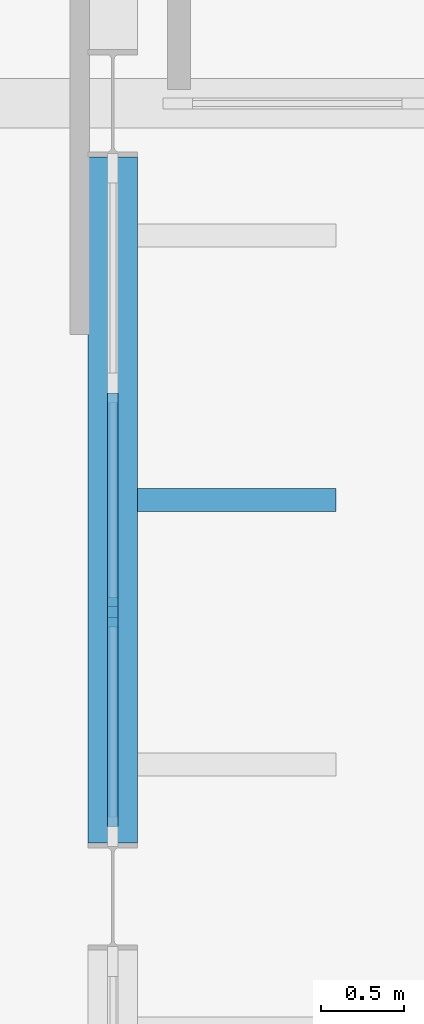
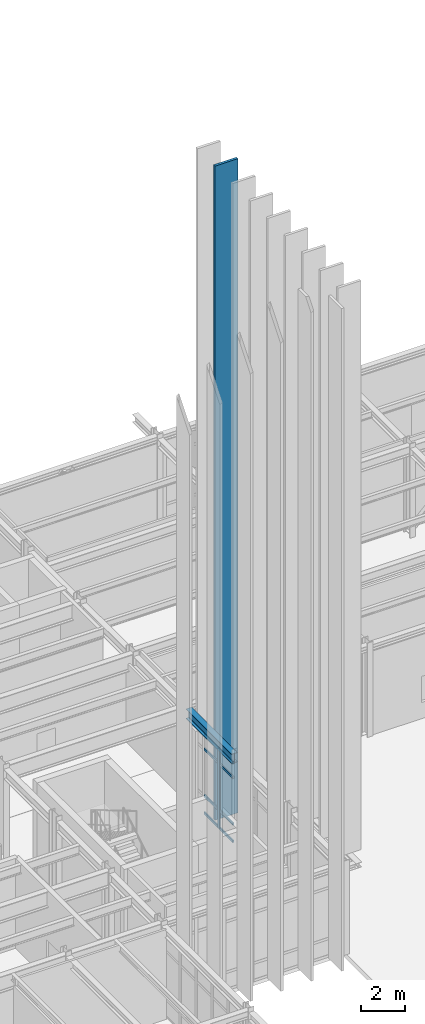
# One storey, part 44 of 109: 10 members, 1 beam, 1 element without a shape of its own.
"""IFC4 building model written with IfcOpenShell, lengths in metres."""

from ifc_helpers import new_model, si_unit, direction, frame, origin, origin_2d, place, context, subcontext, project, spatial, rectangle, i_section, extrude, material, layer, layer_set, material_profile, profile_set, type_object, element, aggregate, save


model = new_model("IFC4")

# Units and contexts
model_context = context("Model", 3, precision=1e-05, world=origin(), true_north=direction((0.0, 1.0)))
body_context = subcontext(model_context, "Body", "Model", "MODEL_VIEW")
ifc_project = project(units=[si_unit("LENGTHUNIT", "METRE"), si_unit("AREAUNIT", "SQUARE_METRE"), si_unit("VOLUMEUNIT", "CUBIC_METRE"), si_unit("PLANEANGLEUNIT", "RADIAN"), si_unit("MASSUNIT", "GRAM", prefix="KILO")], contexts=[model_context])

# Site, building, storey
site_placement = place(None, origin())
site = spatial("IfcSite", under=ifc_project, at=site_placement, CompositionType="ELEMENT")
building_placement = place(site_placement, origin())
building = spatial("IfcBuilding", under=site, at=building_placement, Name="Nordkorset Police Headquarters", CompositionType="ELEMENT")
storey_placement = place(building_placement, origin())
storey = spatial("IfcBuildingStorey", under=building, at=storey_placement, Name="L00", CompositionType="ELEMENT", Elevation=0.0)

# Curtain wall, members
ifc_material_1 = material(Name="Aluminium alloy AW-6060", Category="aluminium")
ifc_layer = layer(ifc_material_1, 0.179931640625, Name="Aluminium alloy AW-6060")
ifc_layer_set = layer_set([ifc_layer], Name="Aluminium alloy AW-6060")
curtain_wall_type = type_object("IfcCurtainWallType", Name="CW_Unit_408x444", PredefinedType="USERDEFINED", material=ifc_layer_set)
curtain_wall_placement = place(storey_placement, origin())
curtain_wall = element("IfcCurtainWall", 1, at=curtain_wall_placement, inside=storey, type_object=curtain_wall_type, Name="Unitised Curtain Wall L00 V1E-2", ObjectType="UNITISED CURTAIN WALL", PredefinedType="USERDEFINED")
ifc_material_2 = material(Name="Aluminium alloy AW-6060", Category="aluminium")
ifc_material_profile_1 = material_profile(ifc_material_2, rectangle(XDim=0.06494140625, YDim=0.179931640625, at=origin_2d()), Name="ALU MULL 65x180")
ifc_profile_set_1 = profile_set([ifc_material_profile_1], Name="Aluminium alloy AW-6060")
member_type_1 = type_object("IfcMemberType", Name="CW_Mullion_65x180", PredefinedType="MULLION", material=ifc_profile_set_1)
member_1_placement = place(storey_placement, frame((28.800048828125, 94.52001953125, 0.0), z_axis=(0.0, 0.0, 1.0), x_axis=(-1.0, 0.0, 0.0)))
member_1 = element("IfcMember", 2, at=member_1_placement, type_object=member_type_1, Name="CW-66 mullion 2", PredefinedType="MULLION", context=body_context, shape_type="SweptSolid", body=[
    extrude(rectangle(XDim=0.06494140625, YDim=0.179931640625, at=origin_2d()), origin(), (0.0, 0.0, 1.0), 4.43994140625),
])
ifc_material_3 = material(Name="Aluminium alloy AW-6060", Category="aluminium")
ifc_material_profile_2 = material_profile(ifc_material_3, rectangle(XDim=0.06494140625, YDim=0.139892578125, at=origin_2d()), Name="ALU TRAN 65x140")
ifc_profile_set_2 = profile_set([ifc_material_profile_2], Name="Aluminium alloy AW-6060")
member_type_2 = type_object("IfcMemberType", Name="CW_Transom_65x140", PredefinedType="USERDEFINED", material=ifc_profile_set_2)
member_2_placement = place(storey_placement, frame((28.800048828125, 93.22509765625, 0.032470703125), z_axis=(0.0, 1.0, 0.0), x_axis=(-1.0, 0.0, 0.0)))
member_2 = element("IfcMember", 3, at=member_2_placement, type_object=member_type_2, Name="CW-66 transom 1.1", ObjectType="TRANSOM", PredefinedType="USERDEFINED", context=body_context, shape_type="SweptSolid", body=[
    extrude(rectangle(XDim=0.06494140625, YDim=0.139892578125, at=origin_2d()), origin(), (0.0, 0.0, 1.0), 1.262451171875),
])
member_3_placement = place(storey_placement, frame((28.800048828125, 93.22509765625, 1.0), z_axis=(0.0, 1.0, 0.0), x_axis=(-1.0, 0.0, 0.0)))
member_3 = element("IfcMember", 4, at=member_3_placement, type_object=member_type_2, Name="CW-66 transom 1.2", ObjectType="TRANSOM", PredefinedType="USERDEFINED", context=body_context, shape_type="SweptSolid", body=[
    extrude(rectangle(XDim=0.06494140625, YDim=0.139892578125, at=origin_2d()), origin(), (0.0, 0.0, 1.0), 1.262451171875),
])
member_4_placement = place(storey_placement, frame((28.800048828125, 93.22509765625, 3.590087890625), z_axis=(0.0, 1.0, 0.0), x_axis=(-1.0, 0.0, 0.0)))
member_4 = element("IfcMember", 5, at=member_4_placement, type_object=member_type_2, Name="CW-66 transom 1.3", ObjectType="TRANSOM", PredefinedType="USERDEFINED", context=body_context, shape_type="SweptSolid", body=[
    extrude(rectangle(XDim=0.06494140625, YDim=0.139892578125, at=origin_2d()), origin(), (0.0, 0.0, 1.0), 1.262451171875),
])
member_5_placement = place(storey_placement, frame((28.800048828125, 93.22509765625, 4.407470703125), z_axis=(0.0, 1.0, 0.0), x_axis=(-1.0, 0.0, 0.0)))
member_5 = element("IfcMember", 6, at=member_5_placement, type_object=member_type_2, Name="CW-66 transom 1.4", ObjectType="TRANSOM", PredefinedType="USERDEFINED", context=body_context, shape_type="SweptSolid", body=[
    extrude(rectangle(XDim=0.06494140625, YDim=0.139892578125, at=origin_2d()), origin(), (0.0, 0.0, 1.0), 1.262451171875),
])
member_6_placement = place(storey_placement, frame((28.800048828125, 94.552490234375, 0.032470703125), z_axis=(0.0, 1.0, 0.0), x_axis=(-1.0, 0.0, 0.0)))
member_6 = element("IfcMember", 7, at=member_6_placement, type_object=member_type_2, Name="CW-66 transom 2.1", ObjectType="TRANSOM", PredefinedType="USERDEFINED", context=body_context, shape_type="SweptSolid", body=[
    extrude(rectangle(XDim=0.06494140625, YDim=0.139892578125, at=origin_2d()), origin(), (0.0, 0.0, 1.0), 1.294921875),
])
member_7_placement = place(storey_placement, frame((28.800048828125, 94.552490234375, 1.0), z_axis=(0.0, 1.0, 0.0), x_axis=(-1.0, 0.0, 0.0)))
member_7 = element("IfcMember", 8, at=member_7_placement, type_object=member_type_2, Name="CW-66 transom 2.2", ObjectType="TRANSOM", PredefinedType="USERDEFINED", context=body_context, shape_type="SweptSolid", body=[
    extrude(rectangle(XDim=0.06494140625, YDim=0.139892578125, at=origin_2d()), origin(), (0.0, 0.0, 1.0), 1.294921875),
])
member_8_placement = place(storey_placement, frame((28.800048828125, 94.552490234375, 3.590087890625), z_axis=(0.0, 1.0, 0.0), x_axis=(-1.0, 0.0, 0.0)))
member_8 = element("IfcMember", 9, at=member_8_placement, type_object=member_type_2, Name="CW-66 transom 2.3", ObjectType="TRANSOM", PredefinedType="USERDEFINED", context=body_context, shape_type="SweptSolid", body=[
    extrude(rectangle(XDim=0.06494140625, YDim=0.139892578125, at=origin_2d()), origin(), (0.0, 0.0, 1.0), 1.294921875),
])
member_9_placement = place(storey_placement, frame((28.800048828125, 94.552490234375, 4.407470703125), z_axis=(0.0, 1.0, 0.0), x_axis=(-1.0, 0.0, 0.0)))
member_9 = element("IfcMember", 10, at=member_9_placement, type_object=member_type_2, Name="CW-66 transom 2.4", ObjectType="TRANSOM", PredefinedType="USERDEFINED", context=body_context, shape_type="SweptSolid", body=[
    extrude(rectangle(XDim=0.06494140625, YDim=0.139892578125, at=origin_2d()), origin(), (0.0, 0.0, 1.0), 1.294921875),
])
aggregate(curtain_wall, [member_1, member_2, member_3, member_4, member_5, member_6, member_7, member_8, member_9])

# Beam
ifc_material_4 = material(Name="Steel S355J2", Category="steel")
ifc_material_profile_3 = material_profile(ifc_material_4, i_section(OverallWidth=0.300048828125, OverallDepth=0.5400390625, WebThickness=0.012451171875, FlangeThickness=0.02392578125, FilletRadius=0.027099609375, at=origin_2d()), Name="HEA 550")
ifc_profile_set_3 = profile_set([ifc_material_profile_3], Name="Steel S355J2")
beam_type = type_object("IfcBeamType", Name="Girder_HEA_550", PredefinedType="USERDEFINED", material=ifc_profile_set_3)
beam_placement = place(storey_placement, frame((28.800048828125, 93.125, 4.72998046875), z_axis=(0.0, 1.0, 0.0), x_axis=(-1.0, 0.0, 0.0)))
element("IfcBeam", 11, at=beam_placement, inside=storey, type_object=beam_type, Name="Girder V1 L00 GY-2-2", ObjectType="GIRDER", PredefinedType="USERDEFINED", context=body_context, shape_type="SweptSolid", body=[
    extrude(i_section(OverallWidth=0.300048828125, OverallDepth=0.5400390625, WebThickness=0.012451171875, FlangeThickness=0.02392578125, FilletRadius=0.027099609375, at=origin_2d()), origin(), (0.0, 0.0, 1.0), 4.14990234375),
])

# Member
ifc_material_5 = material(Name="Glulam GL30c", Category="wood")
ifc_material_profile_4 = material_profile(ifc_material_5, rectangle(XDim=0.139892578125, YDim=1.199951171875, at=origin_2d()), Name="GL30C FIN 140x1200")
ifc_profile_set_4 = profile_set([ifc_material_profile_4], Name="Glulam GL30c")
member_type_3 = type_object("IfcMemberType", Name="Member_GlulamFin_140x1200", PredefinedType="USERDEFINED", material=ifc_profile_set_4)
member_10_placement = place(storey_placement, frame((29.550048828125, 95.199951171875, 0.0), z_axis=(0.0, 0.0, 1.0), x_axis=(0.0, 1.0, 0.0)))
element("IfcMember", 12, at=member_10_placement, inside=storey, type_object=member_type_3, Name="Vertical Glulam Timber Fin East 029", ObjectType="VERTICAL TIMBER FIN", PredefinedType="USERDEFINED", context=body_context, shape_type="SweptSolid", body=[
    extrude(rectangle(XDim=0.139892578125, YDim=1.199951171875, at=origin_2d()), origin(), (0.0, 0.0, 1.0), 36.409912109375),
])

save(model, "model.ifc")
